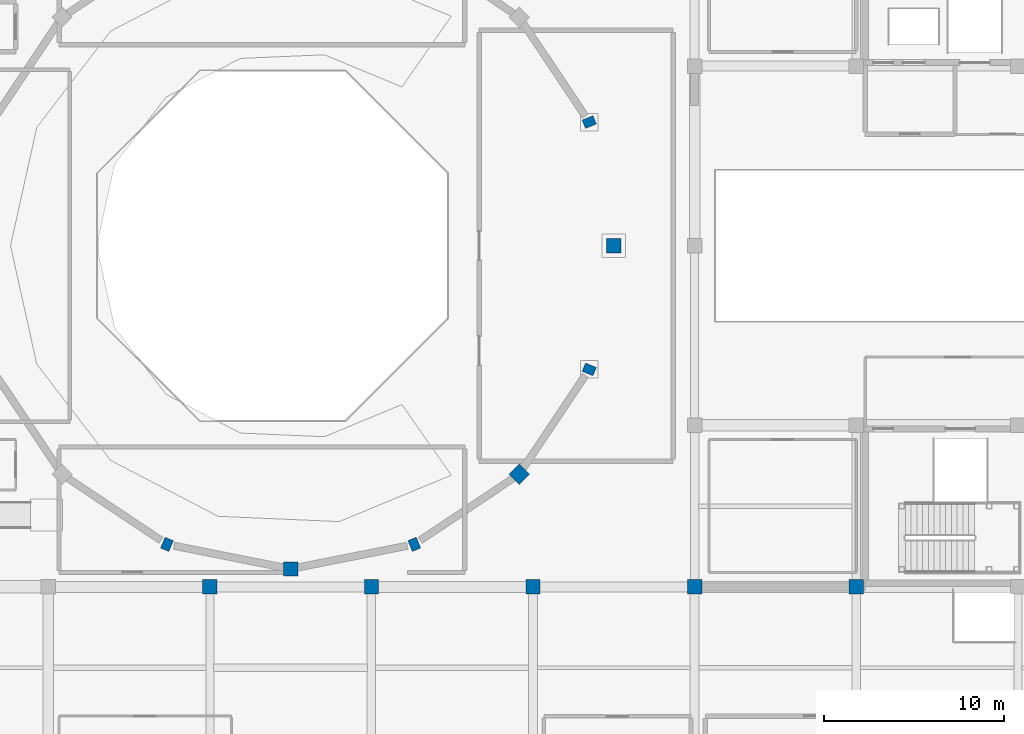
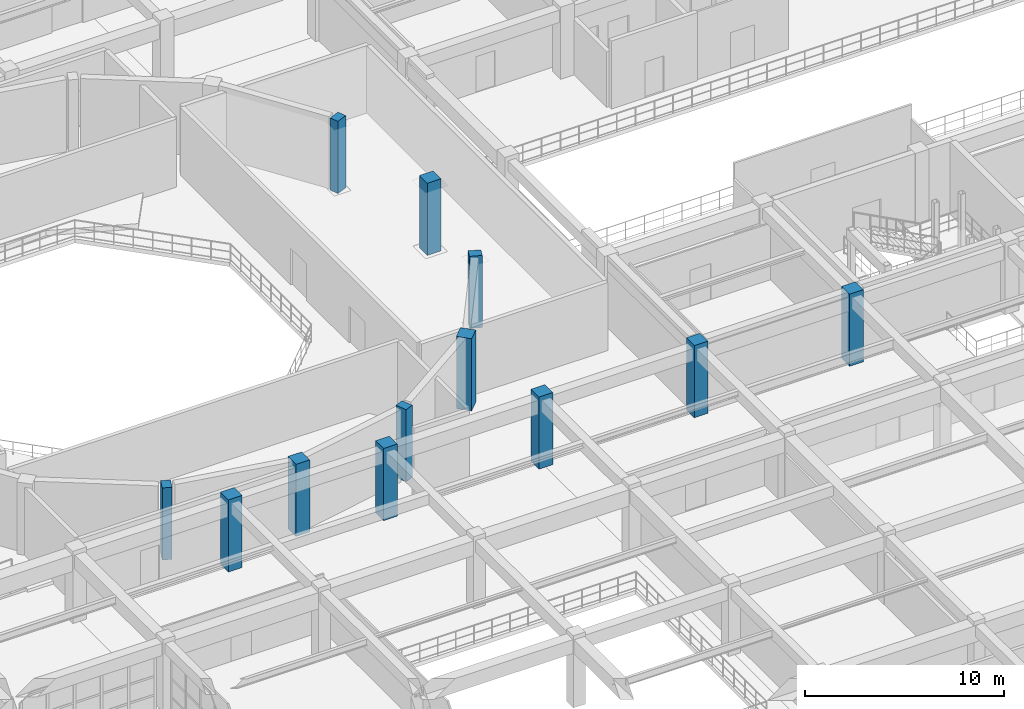
# One storey, part 6 of 133: 12 columns.
"""IFC4 building model written with IfcOpenShell, lengths in metres."""

import ifcopenshell
import ifcopenshell.guid

model = None  # the IFC model being written
_history = None  # IfcOwnerHistory: only IFC2X3 demands one
_inside = {}  # id of a spatial element -> (the spatial element, [elements in it])
_under = {}  # id of a project, library or spatial element -> (it, [spatial elements below it])
_declared = {}  # id of a project -> (the project, [libraries it declares])
_typed = {}  # id of a type object -> (the type object, [elements of that type])
_made_of = {}  # id of a material, layer set ... -> (it, [elements and type objects made of it])


def new_model(schema):
    """Start an empty IFC model of exactly this schema.

    Asked for "IFC4X3", IfcOpenShell would pick the latest addendum, in which some entities
    have other attributes; the version numbers below select the first issue.
    IFC2X3 requires an IfcOwnerHistory on every rooted entity: one is made here for all.
    """
    global model, _history
    if schema == "IFC4X3":
        model = ifcopenshell.file(schema_version=(4, 3, 0, 0))
    else:
        model = ifcopenshell.file(schema=schema)
    _inside.clear()
    _under.clear()
    _declared.clear()
    _typed.clear()
    _made_of.clear()
    _history = None
    if model.schema == "IFC2X3":
        org = make("IfcOrganization", Name="unknown")
        user = make(
            "IfcPersonAndOrganization",
            ThePerson=make("IfcPerson", FamilyName="unknown"),
            TheOrganization=org,
        )
        app = make(
            "IfcApplication",
            ApplicationDeveloper=org,
            Version="unknown",
            ApplicationFullName="unknown",
            ApplicationIdentifier="unknown",
        )
        _history = make(
            "IfcOwnerHistory",
            OwningUser=user,
            OwningApplication=app,
            ChangeAction="ADDED",
            CreationDate=0,
        )
    return model


def make(cls, **values):
    """One entity of the class cls with the attributes given. An attribute that is None is left unset."""
    return model.create_entity(
        cls, **{name: value for name, value in values.items() if value is not None}
    )


def rooted(cls, **values):
    """An entity with a GlobalId (a new one), such as an element, a storey or a relation."""
    return make(cls, GlobalId=ifcopenshell.guid.new(), OwnerHistory=_history, **values)


def si_unit(unit_type, name, prefix=None):
    """IfcSIUnit, for example si_unit("LENGTHUNIT", "METRE", prefix="MILLI")."""
    return make("IfcSIUnit", UnitType=unit_type, Prefix=prefix, Name=name)


def assignment(units):
    """IfcUnitAssignment: the units of a project."""
    return None if units is None else make("IfcUnitAssignment", Units=units)


def point(xyz):
    """IfcCartesianPoint."""
    return None if xyz is None else make("IfcCartesianPoint", Coordinates=xyz)


def direction(xyz):
    """IfcDirection."""
    return None if xyz is None else make("IfcDirection", DirectionRatios=xyz)


def frame(location, z_axis=None, x_axis=None):
    """IfcAxis2Placement3D, a coordinate frame: its origin and axes. An axis left out is left unset."""
    return make(
        "IfcAxis2Placement3D",
        Location=point(location),
        Axis=direction(z_axis),
        RefDirection=direction(x_axis),
    )


def frame_2d(location, x_axis=None):
    """IfcAxis2Placement2D, a coordinate frame in the plane: its origin and x axis."""
    return make(
        "IfcAxis2Placement2D", Location=point(location), RefDirection=direction(x_axis)
    )


def origin():
    """The frame at (0, 0, 0) with its axes left unset."""
    return frame((0.0, 0.0, 0.0))


def origin_2d():
    """The frame at (0, 0) in the plane with its x axis left unset."""
    return frame_2d((0.0, 0.0))


def place(relative_to, where):
    """IfcLocalPlacement: puts the frame where relative to a parent placement (None: the world)."""
    return make(
        "IfcLocalPlacement", PlacementRelTo=relative_to, RelativePlacement=where
    )


def context(
    kind, dimensions, precision=None, world=None, true_north=None, identifier=None
):
    """IfcGeometricRepresentationContext, for example the 3D "Model" context."""
    return make(
        "IfcGeometricRepresentationContext",
        ContextIdentifier=identifier,
        ContextType=kind,
        CoordinateSpaceDimension=dimensions,
        Precision=precision,
        WorldCoordinateSystem=world,
        TrueNorth=true_north,
    )


def subcontext(parent, identifier, kind, view, scale=None):
    """IfcGeometricRepresentationSubContext, for example "Body" below "Model"."""
    return make(
        "IfcGeometricRepresentationSubContext",
        ContextIdentifier=identifier,
        ContextType=kind,
        ParentContext=parent,
        TargetScale=scale,
        TargetView=view,
    )


def project(units=None, contexts=None):
    """IfcProject with its units and contexts."""
    return rooted(
        "IfcProject",
        Name="project",
        RepresentationContexts=contexts,
        UnitsInContext=assignment(units),
    )


def spatial(cls, under=None, at=None, **own):
    """A site, building, storey or space (cls), placed at a placement, below another one or the project."""
    s = rooted(cls, ObjectPlacement=at, **own)
    if under is not None:
        _under.setdefault(under.id(), (under, []))[1].append(s)
    return s


def profile(cls, at=None, kind="AREA", **sizes):
    """A parametric profile (cls). Its sizes go by their IFC names, for example OverallWidth=200.0."""
    return make(cls, ProfileType=kind, Position=at, **sizes)


def rectangle(**sizes):
    """IfcRectangleProfileDef."""
    return profile("IfcRectangleProfileDef", **sizes)


def extrude(swept, where, along, depth):
    """IfcExtrudedAreaSolid: the profile swept, set in the frame where, extruded along a direction by depth."""
    return make(
        "IfcExtrudedAreaSolid",
        SweptArea=swept,
        Position=where,
        ExtrudedDirection=direction(along),
        Depth=depth,
    )


def shape(context_of_items, identifier, shape_type, items):
    """IfcShapeRepresentation: the items that make up one representation, for example the "Body"."""
    return make(
        "IfcShapeRepresentation",
        ContextOfItems=context_of_items,
        RepresentationIdentifier=identifier,
        RepresentationType=shape_type,
        Items=items,
    )


def material(Name=None, Category=None):
    """IfcMaterial."""
    return make("IfcMaterial", Name=Name, Category=Category)


def material_profile(
    of_material, cross_section, Name=None, Category=None, Priority=None
):
    """IfcMaterialProfile: a cross section and its material."""
    return make(
        "IfcMaterialProfile",
        Name=Name,
        Material=of_material,
        Profile=cross_section,
        Priority=Priority,
        Category=Category,
    )


def profile_set(profiles, Name=None, composite=None):
    """IfcMaterialProfileSet."""
    return make(
        "IfcMaterialProfileSet",
        Name=Name,
        MaterialProfiles=profiles,
        CompositeProfile=composite,
    )


def made_of(thing, what):
    """Note that an element or type object is made of a material, layer set ...; save() writes the relation."""
    if what is not None:
        _made_of.setdefault(what.id(), (what, []))[1].append(thing)
    return thing


def type_object(cls, material=None, **own):
    """A type object (cls), such as IfcWallType, which elements share."""
    return made_of(rooted(cls, **own), material)


def element(
    cls,
    number,
    at=None,
    inside=None,
    cuts=None,
    type_object=None,
    material=None,
    context=None,
    identifier="Body",
    shape_type=None,
    held_by="IfcProductDefinitionShape",
    body=None,
    shapes=None,
    **own,
):
    """One element of the class cls, such as IfcWall. Its Tag is "e" and its number.

    at: its placement. inside: the storey or other place that contains it. cuts: it is an
    opening in that element (IfcRelVoidsElement). A single representation is given by context,
    identifier, shape_type and body (its items); several are given by shapes. held_by: the class
    of the entity that holds the representations. save() writes the other relations.
    """
    e = rooted(cls, Tag="e%d" % number, ObjectPlacement=at, **own)
    if body is not None:
        shapes = [shape(context, identifier, shape_type, body)]
    if shapes is not None:
        e.Representation = make(held_by, Representations=shapes)
    if inside is not None:
        _inside.setdefault(inside.id(), (inside, []))[1].append(e)
    if cuts is not None:
        rooted(
            "IfcRelVoidsElement", RelatingBuildingElement=cuts, RelatedOpeningElement=e
        )
    if type_object is not None:
        _typed.setdefault(type_object.id(), (type_object, []))[1].append(e)
    return made_of(e, material)


def aggregate(whole, parts):
    """IfcRelAggregates: a whole, such as a stair, and the parts it consists of."""
    return rooted("IfcRelAggregates", RelatingObject=whole, RelatedObjects=parts)


def save(model, path):
    """Write the relations noted so far, then the file.

    IfcRelAggregates (storeys below a building ...), IfcRelContainedInSpatialStructure (elements
    in a storey), IfcRelDefinesByType, IfcRelAssociatesMaterial and IfcRelDeclares: one each for
    every whole, place, type object, material and project.
    """
    for whole, parts in _under.values():
        aggregate(whole, parts)
    for where, things in _inside.values():
        rooted(
            "IfcRelContainedInSpatialStructure",
            RelatedElements=things,
            RelatingStructure=where,
        )
    for kind, things in _typed.values():
        rooted("IfcRelDefinesByType", RelatedObjects=things, RelatingType=kind)
    for what, things in _made_of.values():
        rooted("IfcRelAssociatesMaterial", RelatedObjects=things, RelatingMaterial=what)
    for by, libraries in _declared.values():
        rooted("IfcRelDeclares", RelatingContext=by, RelatedDefinitions=libraries)
    model.write(path)


model = new_model("IFC4")

# Units and contexts
model_context = context("Model", 3, precision=1e-05, world=origin(), true_north=direction((0.0, 1.0)))
body_context = subcontext(model_context, "Body", "Model", "MODEL_VIEW")
ifc_project = project(units=[si_unit("LENGTHUNIT", "METRE"), si_unit("AREAUNIT", "SQUARE_METRE"), si_unit("VOLUMEUNIT", "CUBIC_METRE"), si_unit("PLANEANGLEUNIT", "RADIAN"), si_unit("MASSUNIT", "GRAM", prefix="KILO")], contexts=[model_context])

# Site, building, storey
site_placement = place(None, origin())
site = spatial("IfcSite", under=ifc_project, at=site_placement, CompositionType="ELEMENT")
building_placement = place(site_placement, origin())
building = spatial("IfcBuilding", under=site, at=building_placement, Name="Miravela Opera House", CompositionType="ELEMENT")
storey_placement = place(building_placement, frame((0.0, 0.0, 5.10009765625)))
storey = spatial("IfcBuildingStorey", under=building, at=storey_placement, Name="L01", CompositionType="ELEMENT", Elevation=5.10009765625)

# Columns
ifc_material_1 = material(Name="Concrete C40/50", Category="concrete")
ifc_material_profile_1 = material_profile(ifc_material_1, rectangle(XDim=0.800048828125, YDim=0.800048828125, at=origin_2d()), Name="RC-COL-800X800")
ifc_profile_set_1 = profile_set([ifc_material_profile_1])
column_type_1 = type_object("IfcColumnType", Name="STR-COL-RC800", PredefinedType="COLUMN", material=ifc_profile_set_1)
for number, where, z_axis, x_axis, name in (
    (1, (81.0, 37.0, 0.0), (0.0, 0.0, 1.0), (1.0, 0.0, 0.0), "Column C-10E (L01)"),
    (2, (90.0, 37.0, 0.0), (0.0, 0.0, 1.0), (1.0, 0.0, 0.0), "Column C-11E (L01)"),
    (3, (99.0, 37.0, 0.0), (0.0, 0.0, 1.0), (1.0, 0.0, 0.0), "Column C-12E (L01)"),
    (4, (108.0, 37.0, 0.0), (0.0, 0.0, 1.0), (1.0, 0.0, 0.0), "Column C-13E (L01)"),
    (5, (72.0, 37.0, 0.0), (0.0, 0.0, 1.0), (1.0, 0.0, 0.0), "Column C-9E (L01)"),
):
    element("IfcColumn", number, at=place(storey_placement, frame(where, z_axis=z_axis, x_axis=x_axis)), inside=storey, type_object=column_type_1, Name=name, PredefinedType="COLUMN", context=body_context, shape_type="SweptSolid", body=[
        extrude(rectangle(XDim=0.800048828125, YDim=0.800048828125, at=origin_2d()), origin(), (0.0, 0.0, 1.0), 4.419921875),
    ])
ifc_material_2 = material(Name="Concrete C35/45", Category="concrete")
ifc_material_profile_2 = material_profile(ifc_material_2, rectangle(XDim=0.64990234375, YDim=0.5, at=origin_2d()), Name="RC-PIL-650X500")
ifc_profile_set_2 = profile_set([ifc_material_profile_2])
column_type_2 = type_object("IfcColumnType", Name="STR-PIL-RC650X500", PredefinedType="PILASTER", material=ifc_profile_set_2)
for number, where, z_axis, x_axis, name in (
    (6, (93.1298828125, 62.88818359375, 0.0), (0.0, 0.0, 1.0), (0.923879532511, 0.382683432365, 0.0), "Auditorium Drum Column DC-02 (L01)"),
    (7, (69.61181640625, 39.3701171875, 0.0), (0.0, 0.0, 1.0), (-0.382683432365, -0.923879532511, 0.0), "Auditorium Drum Column DC-12 (L01)"),
    (8, (83.38818359375, 39.3701171875, 0.0), (0.0, 0.0, 1.0), (0.382683432365, -0.923879532511, 0.0), "Auditorium Drum Column DC-14 (L01)"),
    (9, (93.1298828125, 49.11181640625, 0.0), (0.0, 0.0, 1.0), (0.923879532511, -0.382683432365, 0.0), "Auditorium Drum Column DC-16 (L01)"),
):
    element("IfcColumn", number, at=place(storey_placement, frame(where, z_axis=z_axis, x_axis=x_axis)), inside=storey, type_object=column_type_2, Name=name, PredefinedType="PILASTER", context=body_context, shape_type="SweptSolid", body=[
        extrude(rectangle(XDim=0.64990234375, YDim=0.5, at=origin_2d()), origin(), (0.0, 0.0, 1.0), 4.419921875),
    ])
ifc_material_profile_3 = material_profile(ifc_material_1, rectangle(XDim=0.800048828125, YDim=0.800048828125, at=origin_2d()), Name="RC-COL-800X800")
ifc_profile_set_3 = profile_set([ifc_material_profile_3])
column_type_3 = type_object("IfcColumnType", Name="STR-PIL-RC800", PredefinedType="PILASTER", material=ifc_profile_set_3)
for number, where, z_axis, x_axis, name in (
    (10, (94.5, 56.0, 0.0), (0.0, 0.0, 1.0), (1.0, 0.0, 0.0), "Auditorium Drum Column DC-01 (L01)"),
    (11, (76.5, 38.0, 0.0), (0.0, 0.0, 1.0), (0.0, -1.0, 0.0), "Auditorium Drum Column DC-13 (L01)"),
    (12, (89.227783203125, 43.272216796875, 0.0), (0.0, 0.0, 1.0), (0.707106781187, -0.707106781187, 0.0), "Auditorium Drum Column DC-15 (L01)"),
):
    element("IfcColumn", number, at=place(storey_placement, frame(where, z_axis=z_axis, x_axis=x_axis)), inside=storey, type_object=column_type_3, Name=name, PredefinedType="PILASTER", context=body_context, shape_type="SweptSolid", body=[
        extrude(rectangle(XDim=0.800048828125, YDim=0.800048828125, at=origin_2d()), origin(), (0.0, 0.0, 1.0), 4.419921875),
    ])

save(model, "model.ifc")
